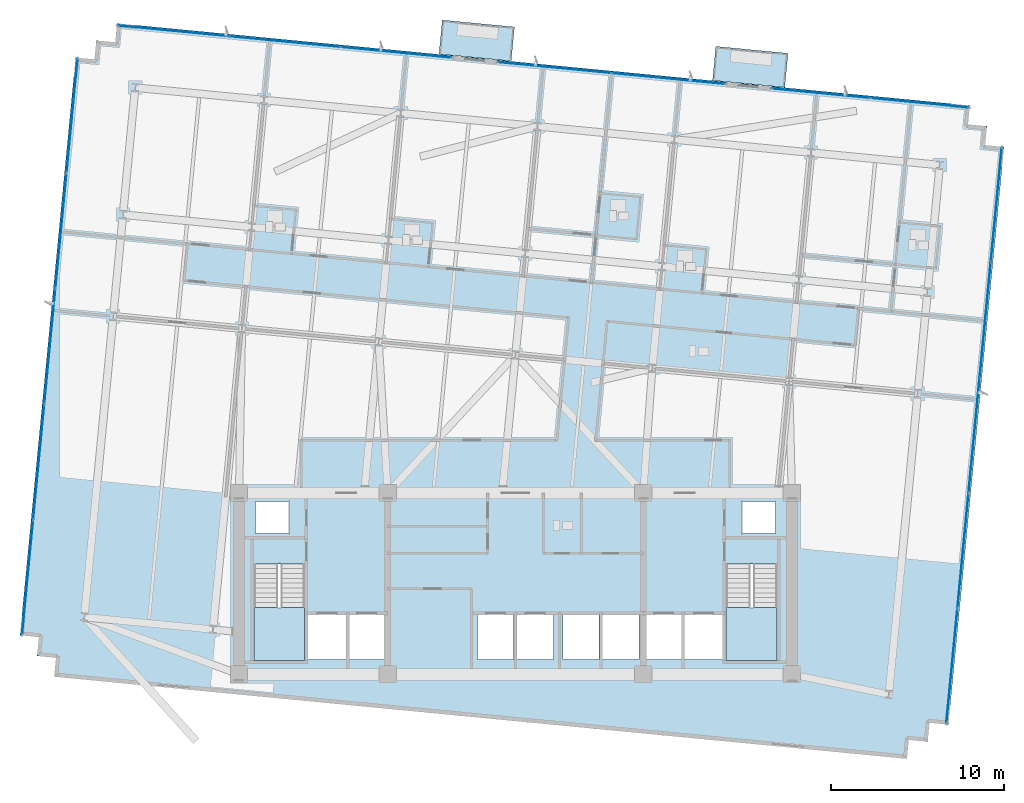
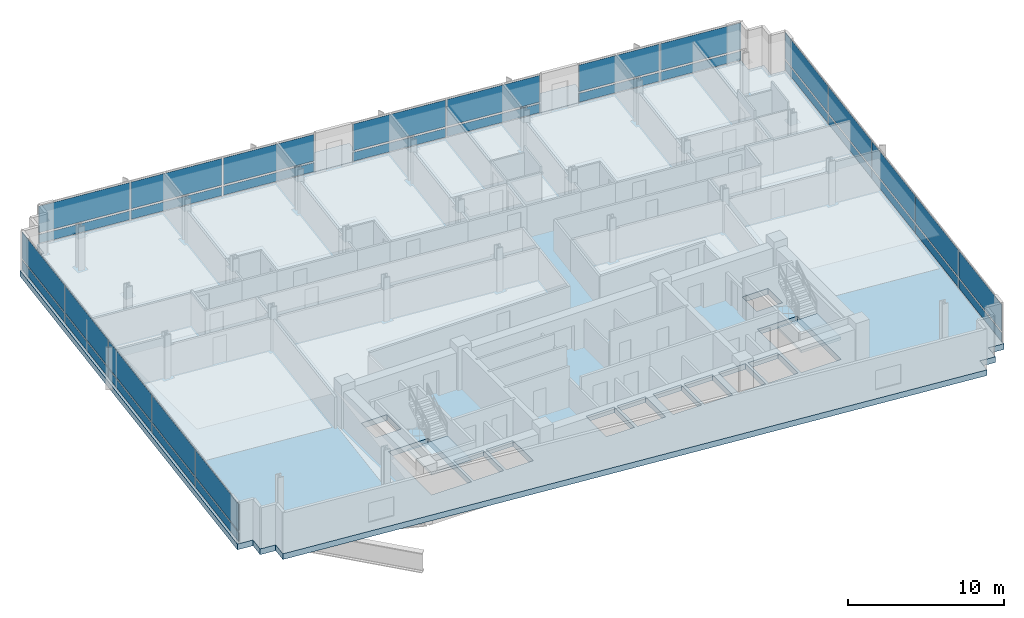
# One storey, part 9 of 18: 34 plates, 5 slabs, 7 elements without a shape of their own.
"""IFC4 building model written with IfcOpenShell, lengths in metres."""

from ifc_helpers import new_model, si_unit, direction, frame, origin, origin_2d, place, context, subcontext, project, spatial, polyline, rectangle, outline, extrude, material, layer, layer_set, type_object, element, aggregate, save


model = new_model("IFC4")

# Units and contexts
model_context = context("Model", 3, precision=1e-05, world=origin(), true_north=direction((0.0, 1.0)))
body_context = subcontext(model_context, "Body", "Model", "MODEL_VIEW")
ifc_project = project(units=[si_unit("LENGTHUNIT", "METRE"), si_unit("AREAUNIT", "SQUARE_METRE"), si_unit("VOLUMEUNIT", "CUBIC_METRE"), si_unit("PLANEANGLEUNIT", "RADIAN"), si_unit("MASSUNIT", "GRAM", prefix="KILO")], contexts=[model_context])

# Site, building, storey
site_placement = place(None, origin())
site = spatial("IfcSite", under=ifc_project, at=site_placement, CompositionType="ELEMENT")
building_placement = place(site_placement, origin())
building = spatial("IfcBuilding", under=site, at=building_placement, Name="Solmavex Isthmus Hotel", CompositionType="ELEMENT")
storey_placement = place(building_placement, frame((0.0, 0.0, 135.89990234375)))
storey = spatial("IfcBuildingStorey", under=building, at=storey_placement, Name="L36", CompositionType="ELEMENT", Elevation=135.89990234375)

# Curtain wall, plates
ifc_material_1 = material(Name="Aluminium alloy 6063-T6", Category="aluminium")
curtain_wall_type = type_object("IfcCurtainWallType", Name="CW-SYS-03", PredefinedType="NOTDEFINED", material=ifc_material_1)
curtain_wall_1_placement = place(storey_placement, origin())
curtain_wall_1 = element("IfcCurtainWall", 1, at=curtain_wall_1_placement, inside=storey, type_object=curtain_wall_type, Name="Stick Curtain Wall CWL-L36-N1", PredefinedType="NOTDEFINED")
ifc_material_2 = material(Name="Clear low-E laminated glass", Category="glass")
ifc_layer_1 = layer(ifc_material_2, 0.030029296875)
ifc_layer_set_1 = layer_set([ifc_layer_1], Name="Clear low-E laminated glass")
plate_type = type_object("IfcPlateType", Name="CW-SYS-03-PNL", PredefinedType="CURTAIN_PANEL", material=ifc_layer_set_1)
plate_1_placement = place(storey_placement, frame((-19.820068359375, 24.256591796875, 0.14013671875), z_axis=(0.0, 0.0, 1.0), x_axis=(0.995396204731, -0.095845686434, 0.0)))
plate_1 = element("IfcPlate", 2, at=plate_1_placement, type_object=plate_type, Name="CW-03 panel 1.1", PredefinedType="CURTAIN_PANEL", context=body_context, shape_type="SweptSolid", body=[
    extrude(rectangle(XDim=6.40234375, YDim=0.030029296875, at=origin_2d()), origin(), (0.0, 0.0, 1.0), 0.68994140625),
])
plate_2_placement = place(storey_placement, frame((-19.820068359375, 24.256591796875, 0.969970703125), z_axis=(0.0, 0.0, 1.0), x_axis=(0.995396204731, -0.095845686434, 0.0)))
plate_2 = element("IfcPlate", 3, at=plate_2_placement, type_object=plate_type, Name="CW-03 panel 1.2", PredefinedType="CURTAIN_PANEL", context=body_context, shape_type="SweptSolid", body=[
    extrude(rectangle(XDim=6.40234375, YDim=0.030029296875, at=origin_2d()), origin(), (0.0, 0.0, 1.0), 2.080078125),
])
plate_3_placement = place(storey_placement, frame((-13.360107421875, 23.634521484375, 0.14013671875), z_axis=(0.0, 0.0, 1.0), x_axis=(0.995396204731, -0.095845686434, 0.0)))
plate_3 = element("IfcPlate", 4, at=plate_3_placement, type_object=plate_type, Name="CW-03 panel 2.1", PredefinedType="CURTAIN_PANEL", context=body_context, shape_type="SweptSolid", body=[
    extrude(rectangle(XDim=6.437255859375, YDim=0.030029296875, at=origin_2d()), origin(), (0.0, 0.0, 1.0), 0.68994140625),
])
plate_4_placement = place(storey_placement, frame((-13.360107421875, 23.634521484375, 0.969970703125), z_axis=(0.0, 0.0, 1.0), x_axis=(0.995396204731, -0.095845686434, 0.0)))
plate_4 = element("IfcPlate", 5, at=plate_4_placement, type_object=plate_type, Name="CW-03 panel 2.2", PredefinedType="CURTAIN_PANEL", context=body_context, shape_type="SweptSolid", body=[
    extrude(rectangle(XDim=6.437255859375, YDim=0.030029296875, at=origin_2d()), origin(), (0.0, 0.0, 1.0), 2.080078125),
])
plate_5_placement = place(storey_placement, frame((-6.900146484375, 23.012451171875, 0.14013671875), z_axis=(0.0, 0.0, 1.0), x_axis=(0.995396204731, -0.095845686434, 0.0)))
plate_5 = element("IfcPlate", 6, at=plate_5_placement, type_object=plate_type, Name="CW-03 panel 3.1", PredefinedType="CURTAIN_PANEL", context=body_context, shape_type="SweptSolid", body=[
    extrude(rectangle(XDim=6.40234375, YDim=0.030029296875, at=origin_2d()), origin(), (0.0, 0.0, 1.0), 0.68994140625),
])
plate_6_placement = place(storey_placement, frame((-6.900146484375, 23.012451171875, 0.969970703125), z_axis=(0.0, 0.0, 1.0), x_axis=(0.995396204731, -0.095845686434, 0.0)))
plate_6 = element("IfcPlate", 7, at=plate_6_placement, type_object=plate_type, Name="CW-03 panel 3.2", PredefinedType="CURTAIN_PANEL", context=body_context, shape_type="SweptSolid", body=[
    extrude(rectangle(XDim=6.40234375, YDim=0.030029296875, at=origin_2d()), origin(), (0.0, 0.0, 1.0), 2.080078125),
])
aggregate(curtain_wall_1, [plate_1, plate_2, plate_3, plate_4, plate_5, plate_6])

curtain_wall_2_placement = place(storey_placement, origin())
curtain_wall_2 = element("IfcCurtainWall", 8, at=curtain_wall_2_placement, inside=storey, type_object=curtain_wall_type, Name="Stick Curtain Wall CWL-L36-N2", PredefinedType="NOTDEFINED")
plate_7_placement = place(storey_placement, frame((2.27392578125, 22.129150390625, 0.14013671875), z_axis=(0.0, 0.0, 1.0), x_axis=(0.995396257521, -0.095845138178, 0.0)))
plate_7 = element("IfcPlate", 9, at=plate_7_placement, type_object=plate_type, Name="CW-03 panel 1.1", PredefinedType="CURTAIN_PANEL", context=body_context, shape_type="SweptSolid", body=[
    extrude(rectangle(XDim=6.551025390625, YDim=0.030029296875, at=origin_2d()), origin(), (0.0, 0.0, 1.0), 0.68994140625),
])
plate_8_placement = place(storey_placement, frame((2.27392578125, 22.129150390625, 0.969970703125), z_axis=(0.0, 0.0, 1.0), x_axis=(0.995396257521, -0.095845138178, 0.0)))
plate_8 = element("IfcPlate", 10, at=plate_8_placement, type_object=plate_type, Name="CW-03 panel 1.2", PredefinedType="CURTAIN_PANEL", context=body_context, shape_type="SweptSolid", body=[
    extrude(rectangle(XDim=6.551025390625, YDim=0.030029296875, at=origin_2d()), origin(), (0.0, 0.0, 1.0), 2.080078125),
])
plate_9_placement = place(storey_placement, frame((8.864501953125, 21.49462890625, 0.14013671875), z_axis=(0.0, 0.0, 1.0), x_axis=(0.995396257521, -0.095845138178, 0.0)))
plate_9 = element("IfcPlate", 11, at=plate_9_placement, type_object=plate_type, Name="CW-03 panel 2.1", PredefinedType="CURTAIN_PANEL", context=body_context, shape_type="SweptSolid", body=[
    extrude(rectangle(XDim=6.551025390625, YDim=0.030029296875, at=origin_2d()), origin(), (0.0, 0.0, 1.0), 0.68994140625),
])
plate_10_placement = place(storey_placement, frame((8.864501953125, 21.49462890625, 0.969970703125), z_axis=(0.0, 0.0, 1.0), x_axis=(0.995396257521, -0.095845138178, 0.0)))
plate_10 = element("IfcPlate", 12, at=plate_10_placement, type_object=plate_type, Name="CW-03 panel 2.2", PredefinedType="CURTAIN_PANEL", context=body_context, shape_type="SweptSolid", body=[
    extrude(rectangle(XDim=6.551025390625, YDim=0.030029296875, at=origin_2d()), origin(), (0.0, 0.0, 1.0), 2.080078125),
])
aggregate(curtain_wall_2, [plate_7, plate_8, plate_9, plate_10])

curtain_wall_3_placement = place(storey_placement, origin())
curtain_wall_3 = element("IfcCurtainWall", 13, at=curtain_wall_3_placement, inside=storey, type_object=curtain_wall_type, Name="Stick Curtain Wall CWL-L36-N3", PredefinedType="NOTDEFINED")
plate_11_placement = place(storey_placement, frame((17.67822265625, 20.645751953125, 0.14013671875), z_axis=(0.0, 0.0, 1.0), x_axis=(0.995396212717, -0.095845603495, 0.0)))
plate_11 = element("IfcPlate", 14, at=plate_11_placement, type_object=plate_type, Name="CW-03 panel 1.1", PredefinedType="CURTAIN_PANEL", context=body_context, shape_type="SweptSolid", body=[
    extrude(rectangle(XDim=5.677978515625, YDim=0.030029296875, at=origin_2d()), origin(), (0.0, 0.0, 1.0), 0.68994140625),
])
plate_12_placement = place(storey_placement, frame((17.67822265625, 20.645751953125, 0.969970703125), z_axis=(0.0, 0.0, 1.0), x_axis=(0.995396212717, -0.095845603495, 0.0)))
plate_12 = element("IfcPlate", 15, at=plate_12_placement, type_object=plate_type, Name="CW-03 panel 1.2", PredefinedType="CURTAIN_PANEL", context=body_context, shape_type="SweptSolid", body=[
    extrude(rectangle(XDim=5.677978515625, YDim=0.030029296875, at=origin_2d()), origin(), (0.0, 0.0, 1.0), 2.080078125),
])
plate_13_placement = place(storey_placement, frame((23.39990234375, 20.094970703125, 0.14013671875), z_axis=(0.0, 0.0, 1.0), x_axis=(0.995396212717, -0.095845603495, 0.0)))
plate_13 = element("IfcPlate", 16, at=plate_13_placement, type_object=plate_type, Name="CW-03 panel 2.1", PredefinedType="CURTAIN_PANEL", context=body_context, shape_type="SweptSolid", body=[
    extrude(rectangle(XDim=5.677978515625, YDim=0.030029296875, at=origin_2d()), origin(), (0.0, 0.0, 1.0), 0.68994140625),
])
plate_14_placement = place(storey_placement, frame((23.39990234375, 20.094970703125, 0.969970703125), z_axis=(0.0, 0.0, 1.0), x_axis=(0.995396212717, -0.095845603495, 0.0)))
plate_14 = element("IfcPlate", 17, at=plate_14_placement, type_object=plate_type, Name="CW-03 panel 2.2", PredefinedType="CURTAIN_PANEL", context=body_context, shape_type="SweptSolid", body=[
    extrude(rectangle(XDim=5.677978515625, YDim=0.030029296875, at=origin_2d()), origin(), (0.0, 0.0, 1.0), 2.080078125),
])
aggregate(curtain_wall_3, [plate_11, plate_12, plate_13, plate_14])

curtain_wall_4_placement = place(storey_placement, origin())
curtain_wall_4 = element("IfcCurtainWall", 18, at=curtain_wall_4_placement, inside=storey, type_object=curtain_wall_type, Name="Stick Curtain Wall CWL-L36-W1", PredefinedType="NOTDEFINED")
plate_15_placement = place(storey_placement, frame((-28.24267578125, -7.38427734375, 0.14013671875), z_axis=(0.0, 0.0, 1.0), x_axis=(0.09584583902, 0.995396190038, 0.0)))
plate_15 = element("IfcPlate", 19, at=plate_15_placement, type_object=plate_type, Name="CW-03 panel 1.1", PredefinedType="CURTAIN_PANEL", context=body_context, shape_type="SweptSolid", body=[
    extrude(rectangle(XDim=6.614990234375, YDim=0.030029296875, at=origin_2d()), origin(), (0.0, 0.0, 1.0), 0.68994140625),
])
plate_16_placement = place(storey_placement, frame((-28.24267578125, -7.38427734375, 0.969970703125), z_axis=(0.0, 0.0, 1.0), x_axis=(0.09584583902, 0.995396190038, 0.0)))
plate_16 = element("IfcPlate", 20, at=plate_16_placement, type_object=plate_type, Name="CW-03 panel 1.2", PredefinedType="CURTAIN_PANEL", context=body_context, shape_type="SweptSolid", body=[
    extrude(rectangle(XDim=6.614990234375, YDim=0.030029296875, at=origin_2d()), origin(), (0.0, 0.0, 1.0), 2.080078125),
])
plate_17_placement = place(storey_placement, frame((-27.600341796875, -0.712646484375, 0.14013671875), z_axis=(0.0, 0.0, 1.0), x_axis=(0.09584583902, 0.995396190038, 0.0)))
plate_17 = element("IfcPlate", 21, at=plate_17_placement, type_object=plate_type, Name="CW-03 panel 2.1", PredefinedType="CURTAIN_PANEL", context=body_context, shape_type="SweptSolid", body=[
    extrude(rectangle(XDim=6.64990234375, YDim=0.030029296875, at=origin_2d()), origin(), (0.0, 0.0, 1.0), 0.68994140625),
])
plate_18_placement = place(storey_placement, frame((-27.600341796875, -0.712646484375, 0.969970703125), z_axis=(0.0, 0.0, 1.0), x_axis=(0.09584583902, 0.995396190038, 0.0)))
plate_18 = element("IfcPlate", 22, at=plate_18_placement, type_object=plate_type, Name="CW-03 panel 2.2", PredefinedType="CURTAIN_PANEL", context=body_context, shape_type="SweptSolid", body=[
    extrude(rectangle(XDim=6.64990234375, YDim=0.030029296875, at=origin_2d()), origin(), (0.0, 0.0, 1.0), 2.080078125),
])
plate_19_placement = place(storey_placement, frame((-26.956298828125, 5.976318359375, 0.14013671875), z_axis=(0.0, 0.0, 1.0), x_axis=(0.09584583902, 0.995396190038, 0.0)))
plate_19 = element("IfcPlate", 23, at=plate_19_placement, type_object=plate_type, Name="CW-03 panel 3.1", PredefinedType="CURTAIN_PANEL", context=body_context, shape_type="SweptSolid", body=[
    extrude(rectangle(XDim=6.64990234375, YDim=0.030029296875, at=origin_2d()), origin(), (0.0, 0.0, 1.0), 0.68994140625),
])
plate_20_placement = place(storey_placement, frame((-26.956298828125, 5.976318359375, 0.969970703125), z_axis=(0.0, 0.0, 1.0), x_axis=(0.09584583902, 0.995396190038, 0.0)))
plate_20 = element("IfcPlate", 24, at=plate_20_placement, type_object=plate_type, Name="CW-03 panel 3.2", PredefinedType="CURTAIN_PANEL", context=body_context, shape_type="SweptSolid", body=[
    extrude(rectangle(XDim=6.64990234375, YDim=0.030029296875, at=origin_2d()), origin(), (0.0, 0.0, 1.0), 2.080078125),
])
plate_21_placement = place(storey_placement, frame((-26.312255859375, 12.665283203125, 0.14013671875), z_axis=(0.0, 0.0, 1.0), x_axis=(0.09584583902, 0.995396190038, 0.0)))
plate_21 = element("IfcPlate", 25, at=plate_21_placement, type_object=plate_type, Name="CW-03 panel 4.1", PredefinedType="CURTAIN_PANEL", context=body_context, shape_type="SweptSolid", body=[
    extrude(rectangle(XDim=6.64990234375, YDim=0.030029296875, at=origin_2d()), origin(), (0.0, 0.0, 1.0), 0.68994140625),
])
plate_22_placement = place(storey_placement, frame((-26.312255859375, 12.665283203125, 0.969970703125), z_axis=(0.0, 0.0, 1.0), x_axis=(0.09584583902, 0.995396190038, 0.0)))
plate_22 = element("IfcPlate", 26, at=plate_22_placement, type_object=plate_type, Name="CW-03 panel 4.2", PredefinedType="CURTAIN_PANEL", context=body_context, shape_type="SweptSolid", body=[
    extrude(rectangle(XDim=6.64990234375, YDim=0.030029296875, at=origin_2d()), origin(), (0.0, 0.0, 1.0), 2.080078125),
])
plate_23_placement = place(storey_placement, frame((-25.669677734375, 19.337158203125, 0.14013671875), z_axis=(0.0, 0.0, 1.0), x_axis=(0.09584583902, 0.995396190038, 0.0)))
plate_23 = element("IfcPlate", 27, at=plate_23_placement, type_object=plate_type, Name="CW-03 panel 5.1", PredefinedType="CURTAIN_PANEL", context=body_context, shape_type="SweptSolid", body=[
    extrude(rectangle(XDim=6.614990234375, YDim=0.030029296875, at=origin_2d()), origin(), (0.0, 0.0, 1.0), 0.68994140625),
])
plate_24_placement = place(storey_placement, frame((-25.669677734375, 19.337158203125, 0.969970703125), z_axis=(0.0, 0.0, 1.0), x_axis=(0.09584583902, 0.995396190038, 0.0)))
plate_24 = element("IfcPlate", 28, at=plate_24_placement, type_object=plate_type, Name="CW-03 panel 5.2", PredefinedType="CURTAIN_PANEL", context=body_context, shape_type="SweptSolid", body=[
    extrude(rectangle(XDim=6.614990234375, YDim=0.030029296875, at=origin_2d()), origin(), (0.0, 0.0, 1.0), 2.080078125),
])
aggregate(curtain_wall_4, [plate_15, plate_16, plate_17, plate_18, plate_19, plate_20, plate_21, plate_22, plate_23, plate_24])

curtain_wall_5_placement = place(storey_placement, origin())
curtain_wall_5 = element("IfcCurtainWall", 29, at=curtain_wall_5_placement, inside=storey, type_object=curtain_wall_type, Name="Stick Curtain Wall CWL-L36-E1", PredefinedType="NOTDEFINED")
plate_25_placement = place(storey_placement, frame((25.269775390625, -12.537109375, 0.14013671875), z_axis=(0.0, 0.0, 1.0), x_axis=(0.09584583902, 0.995396190038, 0.0)))
plate_25 = element("IfcPlate", 30, at=plate_25_placement, type_object=plate_type, Name="CW-03 panel 1.1", PredefinedType="CURTAIN_PANEL", context=body_context, shape_type="SweptSolid", body=[
    extrude(rectangle(XDim=6.614990234375, YDim=0.030029296875, at=origin_2d()), origin(), (0.0, 0.0, 1.0), 0.68994140625),
])
plate_26_placement = place(storey_placement, frame((25.269775390625, -12.537109375, 0.969970703125), z_axis=(0.0, 0.0, 1.0), x_axis=(0.09584583902, 0.995396190038, 0.0)))
plate_26 = element("IfcPlate", 31, at=plate_26_placement, type_object=plate_type, Name="CW-03 panel 1.2", PredefinedType="CURTAIN_PANEL", context=body_context, shape_type="SweptSolid", body=[
    extrude(rectangle(XDim=6.614990234375, YDim=0.030029296875, at=origin_2d()), origin(), (0.0, 0.0, 1.0), 2.080078125),
])
plate_27_placement = place(storey_placement, frame((25.912109375, -5.865478515625, 0.14013671875), z_axis=(0.0, 0.0, 1.0), x_axis=(0.09584583902, 0.995396190038, 0.0)))
plate_27 = element("IfcPlate", 32, at=plate_27_placement, type_object=plate_type, Name="CW-03 panel 2.1", PredefinedType="CURTAIN_PANEL", context=body_context, shape_type="SweptSolid", body=[
    extrude(rectangle(XDim=6.64990234375, YDim=0.030029296875, at=origin_2d()), origin(), (0.0, 0.0, 1.0), 0.68994140625),
])
plate_28_placement = place(storey_placement, frame((25.912109375, -5.865478515625, 0.969970703125), z_axis=(0.0, 0.0, 1.0), x_axis=(0.09584583902, 0.995396190038, 0.0)))
plate_28 = element("IfcPlate", 33, at=plate_28_placement, type_object=plate_type, Name="CW-03 panel 2.2", PredefinedType="CURTAIN_PANEL", context=body_context, shape_type="SweptSolid", body=[
    extrude(rectangle(XDim=6.64990234375, YDim=0.030029296875, at=origin_2d()), origin(), (0.0, 0.0, 1.0), 2.080078125),
])
plate_29_placement = place(storey_placement, frame((26.55615234375, 0.82373046875, 0.14013671875), z_axis=(0.0, 0.0, 1.0), x_axis=(0.09584583902, 0.995396190038, 0.0)))
plate_29 = element("IfcPlate", 34, at=plate_29_placement, type_object=plate_type, Name="CW-03 panel 3.1", PredefinedType="CURTAIN_PANEL", context=body_context, shape_type="SweptSolid", body=[
    extrude(rectangle(XDim=6.64990234375, YDim=0.030029296875, at=origin_2d()), origin(), (0.0, 0.0, 1.0), 0.68994140625),
])
plate_30_placement = place(storey_placement, frame((26.55615234375, 0.82373046875, 0.969970703125), z_axis=(0.0, 0.0, 1.0), x_axis=(0.09584583902, 0.995396190038, 0.0)))
plate_30 = element("IfcPlate", 35, at=plate_30_placement, type_object=plate_type, Name="CW-03 panel 3.2", PredefinedType="CURTAIN_PANEL", context=body_context, shape_type="SweptSolid", body=[
    extrude(rectangle(XDim=6.64990234375, YDim=0.030029296875, at=origin_2d()), origin(), (0.0, 0.0, 1.0), 2.080078125),
])
plate_31_placement = place(storey_placement, frame((27.200439453125, 7.5126953125, 0.14013671875), z_axis=(0.0, 0.0, 1.0), x_axis=(0.09584583902, 0.995396190038, 0.0)))
plate_31 = element("IfcPlate", 36, at=plate_31_placement, type_object=plate_type, Name="CW-03 panel 4.1", PredefinedType="CURTAIN_PANEL", context=body_context, shape_type="SweptSolid", body=[
    extrude(rectangle(XDim=6.64990234375, YDim=0.030029296875, at=origin_2d()), origin(), (0.0, 0.0, 1.0), 0.68994140625),
])
plate_32_placement = place(storey_placement, frame((27.200439453125, 7.5126953125, 0.969970703125), z_axis=(0.0, 0.0, 1.0), x_axis=(0.09584583902, 0.995396190038, 0.0)))
plate_32 = element("IfcPlate", 37, at=plate_32_placement, type_object=plate_type, Name="CW-03 panel 4.2", PredefinedType="CURTAIN_PANEL", context=body_context, shape_type="SweptSolid", body=[
    extrude(rectangle(XDim=6.64990234375, YDim=0.030029296875, at=origin_2d()), origin(), (0.0, 0.0, 1.0), 2.080078125),
])
plate_33_placement = place(storey_placement, frame((27.8427734375, 14.184326171875, 0.14013671875), z_axis=(0.0, 0.0, 1.0), x_axis=(0.09584583902, 0.995396190038, 0.0)))
plate_33 = element("IfcPlate", 38, at=plate_33_placement, type_object=plate_type, Name="CW-03 panel 5.1", PredefinedType="CURTAIN_PANEL", context=body_context, shape_type="SweptSolid", body=[
    extrude(rectangle(XDim=6.614990234375, YDim=0.030029296875, at=origin_2d()), origin(), (0.0, 0.0, 1.0), 0.68994140625),
])
plate_34_placement = place(storey_placement, frame((27.8427734375, 14.184326171875, 0.969970703125), z_axis=(0.0, 0.0, 1.0), x_axis=(0.09584583902, 0.995396190038, 0.0)))
plate_34 = element("IfcPlate", 39, at=plate_34_placement, type_object=plate_type, Name="CW-03 panel 5.2", PredefinedType="CURTAIN_PANEL", context=body_context, shape_type="SweptSolid", body=[
    extrude(rectangle(XDim=6.614990234375, YDim=0.030029296875, at=origin_2d()), origin(), (0.0, 0.0, 1.0), 2.080078125),
])
aggregate(curtain_wall_5, [plate_25, plate_26, plate_27, plate_28, plate_29, plate_30, plate_31, plate_32, plate_33, plate_34])

# Slabs
ifc_material_3 = material(Name="Concrete C40/50", Category="concrete")
ifc_layer_2 = layer(ifc_material_3, 0.239990234375)
ifc_layer_set_2 = layer_set([ifc_layer_2], Name="Concrete C40/50")
slab_type_1 = type_object("IfcSlabType", Name="SLAB-BALC-240", PredefinedType="FLOOR", material=ifc_layer_set_2)
slab_1_placement = place(storey_placement, frame((0.0, 0.0, -0.239990234375)))
element("IfcSlab", 40, at=slab_1_placement, inside=storey, type_object=slab_type_1, Name="Tree-Planter Balcony Slab L36-B1", PredefinedType="FLOOR", context=body_context, shape_type="SweptSolid", body=[
    extrude(outline(polyline([(-4.427490234375, 22.909912109375), (-0.246826171875, 22.507568359375), (-0.056640625, 24.4833984375), (-4.2373046875, 24.885986328125), (-4.427490234375, 22.909912109375)])), origin(), (0.0, 0.0, 1.0), 0.239990234375),
])
slab_2_placement = place(storey_placement, frame((0.0, 0.0, -0.239990234375)))
element("IfcSlab", 41, at=slab_2_placement, inside=storey, type_object=slab_type_1, Name="Tree-Planter Balcony Slab L36-B2", PredefinedType="FLOOR", context=body_context, shape_type="SweptSolid", body=[
    extrude(outline(polyline([(11.4111328125, 21.385009765625), (15.591796875, 20.982421875), (15.7822265625, 22.958251953125), (11.6015625, 23.36083984375), (11.4111328125, 21.385009765625)])), origin(), (0.0, 0.0, 1.0), 0.239990234375),
])
ifc_material_4 = material(Name="Concrete C50/60", Category="concrete")
ifc_layer_3 = layer(ifc_material_4, 0.449951171875)
ifc_layer_set_3 = layer_set([ifc_layer_3], Name="Concrete C50/60")
slab_type_2 = type_object("IfcSlabType", Name="SLAB-XFER-360", PredefinedType="FLOOR", material=ifc_layer_set_3)
slab_3_placement = place(storey_placement, frame((0.0, 0.0, -0.449951171875)))
element("IfcSlab", 42, at=slab_3_placement, inside=storey, type_object=slab_type_2, Name="Tower Structural Floor Slab L36", PredefinedType="FLOOR", context=body_context, shape_type="SweptSolid", body=[
    extrude(outline(polyline([(-25.612060546875, -13.240966796875), (21.56982421875, -17.7841796875), (22.664794921875, -17.889404296875), (22.770263671875, -16.794677734375), (23.865234375, -16.89990234375), (23.970458984375, -15.80517578125), (25.0654296875, -15.910400390625), (25.1708984375, -14.815673828125), (28.180419921875, 16.43994140625), (28.285888671875, 17.534912109375), (27.19091796875, 17.64013671875), (27.29638671875, 18.735107421875), (26.201416015625, 18.840576171875), (26.306884765625, 19.935546875), (25.2119140625, 20.041015625), (-21.9697265625, 24.583984375), (-23.064697265625, 24.689453125), (-23.170166015625, 23.594482421875), (-24.26513671875, 23.699951171875), (-24.37060546875, 22.60498046875), (-25.465576171875, 22.71044921875), (-25.57080078125, 21.615478515625), (-28.58056640625, -9.639892578125), (-28.685791015625, -10.73486328125), (-27.591064453125, -10.84033203125), (-27.6962890625, -11.935302734375), (-26.6015625, -12.04052734375), (-26.706787109375, -13.135498046875), (-25.612060546875, -13.240966796875)]), holes=[polyline([(-15.14990234375, -6.617919921875), (-15.14990234375, -12.199951171875), (-12.199951171875, -12.199951171875), (-12.199951171875, -6.617919921875), (-15.14990234375, -6.617919921875)]), polyline([(12.199951171875, -6.617919921875), (12.199951171875, -12.199951171875), (15.14990234375, -12.199951171875), (15.14990234375, -6.617919921875), (12.199951171875, -6.617919921875)]), polyline([(-12.0, -12.14990234375), (-9.800048828125, -12.14990234375), (-9.800048828125, -9.550048828125), (-12.0, -9.550048828125), (-12.0, -12.14990234375)]), polyline([(9.800048828125, -12.14990234375), (12.0, -12.14990234375), (12.0, -9.550048828125), (9.800048828125, -9.550048828125), (9.800048828125, -12.14990234375)]), polyline([(-9.60009765625, -12.14990234375), (-7.60009765625, -12.14990234375), (-7.60009765625, -9.550048828125), (-9.60009765625, -9.550048828125), (-9.60009765625, -12.14990234375)]), polyline([(7.60009765625, -12.14990234375), (9.60009765625, -12.14990234375), (9.60009765625, -9.550048828125), (7.60009765625, -9.550048828125), (7.60009765625, -12.14990234375)]), polyline([(-2.199951171875, -12.14990234375), (-0.10009765625, -12.14990234375), (-0.10009765625, -9.550048828125), (-2.199951171875, -9.550048828125), (-2.199951171875, -12.14990234375)]), polyline([(0.10009765625, -12.14990234375), (2.199951171875, -12.14990234375), (2.199951171875, -9.550048828125), (0.10009765625, -9.550048828125), (0.10009765625, -12.14990234375)]), polyline([(2.75, -12.14990234375), (4.85009765625, -12.14990234375), (4.85009765625, -9.550048828125), (2.75, -9.550048828125), (2.75, -12.14990234375)]), polyline([(5.050048828125, -12.14990234375), (7.14990234375, -12.14990234375), (7.14990234375, -9.550048828125), (5.050048828125, -9.550048828125), (5.050048828125, -12.14990234375)]), polyline([(-15.050048828125, -4.85009765625), (-13.14990234375, -4.85009765625), (-13.14990234375, -3.0), (-15.050048828125, -3.0), (-15.050048828125, -4.85009765625)]), polyline([(13.14990234375, -4.85009765625), (15.050048828125, -4.85009765625), (15.050048828125, -3.0), (13.14990234375, -3.0), (13.14990234375, -4.85009765625)])]), origin(), (0.0, 0.0, 1.0), 0.449951171875),
])

# Stair, slab
stair_type_1 = type_object("IfcStairType", Name="STR-ST-1", PredefinedType="HALF_TURN_STAIR", material=ifc_material_3)
stair_1_placement = place(storey_placement, origin())
stair_1 = element("IfcStair", 43, at=stair_1_placement, inside=storey, type_object=stair_type_1, Name="L36 Protected Exit Stair ST-1", PredefinedType="HALF_TURN_STAIR")
ifc_layer_4 = layer(ifc_material_3, 0.219970703125)
ifc_layer_set_4 = layer_set([ifc_layer_4], Name="Concrete C40/50")
slab_type_3 = type_object("IfcSlabType", Name="SLD-ST-1", PredefinedType="LANDING", material=ifc_layer_set_4)
slab_4_placement = place(storey_placement, frame((0.0, 0.0, 1.525146484375)))
slab_4 = element("IfcSlab", 44, at=slab_4_placement, type_object=slab_type_3, Name="ST-1 landing 1", PredefinedType="LANDING", context=body_context, shape_type="SweptSolid", body=[
    extrude(outline(polyline([(-15.14990234375, -9.1201171875), (-15.14990234375, -12.199951171875), (-12.199951171875, -12.199951171875), (-12.199951171875, -9.1201171875), (-15.14990234375, -9.1201171875)])), origin(), (0.0, 0.0, 1.0), 0.199951171875),
])
aggregate(stair_1, [slab_4])

stair_type_2 = type_object("IfcStairType", Name="STR-ST-2", PredefinedType="HALF_TURN_STAIR", material=ifc_material_3)
stair_2_placement = place(storey_placement, origin())
stair_2 = element("IfcStair", 45, at=stair_2_placement, inside=storey, type_object=stair_type_2, Name="L36 Protected Exit Stair ST-2", PredefinedType="HALF_TURN_STAIR")
ifc_layer_5 = layer(ifc_material_3, 0.219970703125)
ifc_layer_set_5 = layer_set([ifc_layer_5], Name="Concrete C40/50")
slab_type_4 = type_object("IfcSlabType", Name="SLD-ST-2", PredefinedType="LANDING", material=ifc_layer_set_5)
slab_5_placement = place(storey_placement, frame((0.0, 0.0, 1.525146484375)))
slab_5 = element("IfcSlab", 46, at=slab_5_placement, type_object=slab_type_4, Name="ST-2 landing 1", PredefinedType="LANDING", context=body_context, shape_type="SweptSolid", body=[
    extrude(outline(polyline([(12.199951171875, -9.1201171875), (12.199951171875, -12.199951171875), (15.14990234375, -12.199951171875), (15.14990234375, -9.1201171875), (12.199951171875, -9.1201171875)])), origin(), (0.0, 0.0, 1.0), 0.199951171875),
])
aggregate(stair_2, [slab_5])

save(model, "model.ifc")
